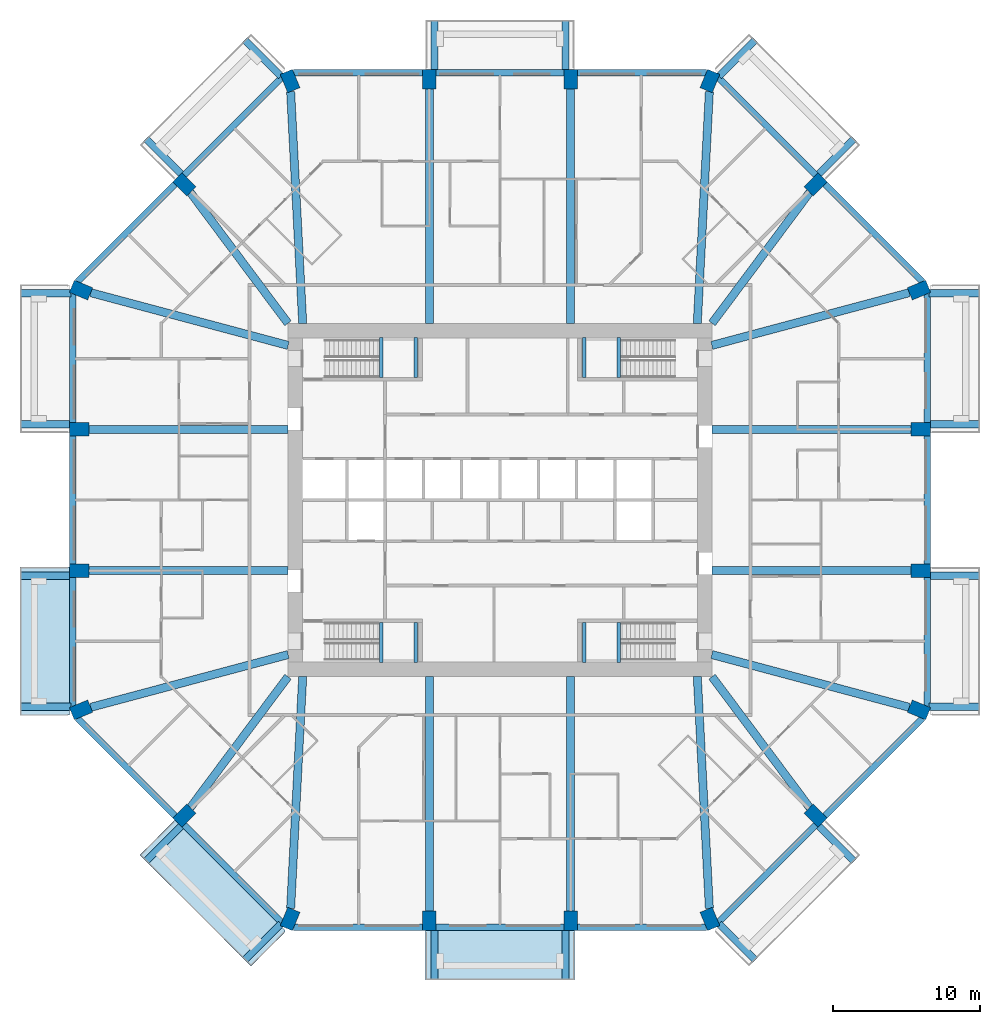
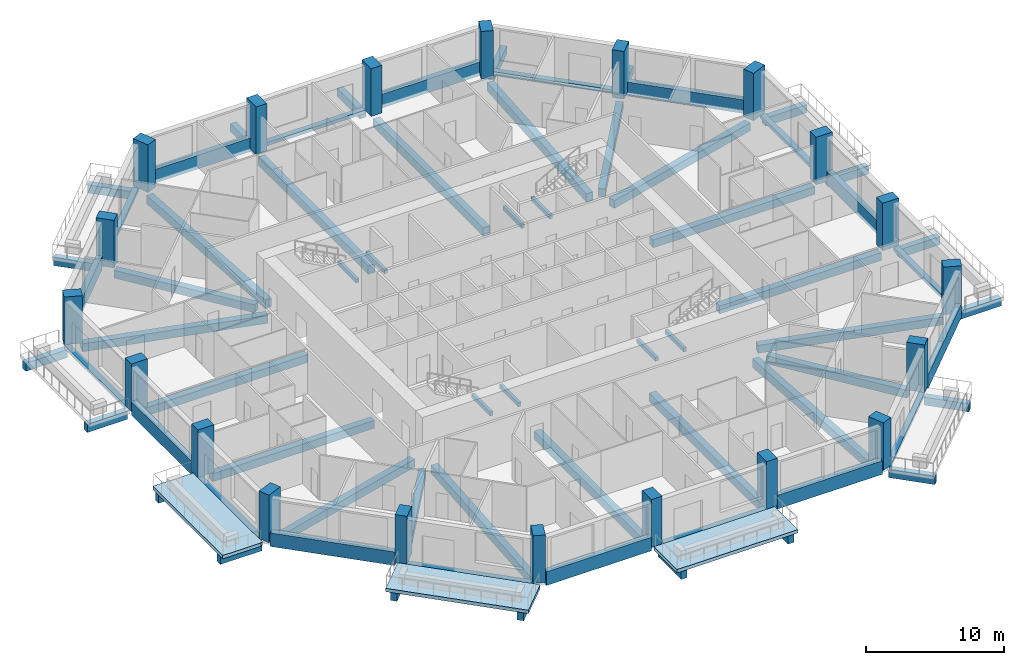
# One storey, part 1 of 13: 68 beams, 20 columns, 3 slabs.
"""IFC4 building model written with IfcOpenShell, lengths in metres."""

from ifc_helpers import new_model, si_unit, direction, frame, origin, origin_2d, place, context, subcontext, project, spatial, polyline, rectangle, outline, extrude, material, layer, layer_set, material_profile, profile_set, type_object, element, save


model = new_model("IFC4")

# Units and contexts
model_context = context("Model", 3, precision=1e-05, world=origin(), true_north=direction((0.0, 1.0)))
body_context = subcontext(model_context, "Body", "Model", "MODEL_VIEW")
ifc_project = project(units=[si_unit("LENGTHUNIT", "METRE"), si_unit("AREAUNIT", "SQUARE_METRE"), si_unit("VOLUMEUNIT", "CUBIC_METRE"), si_unit("PLANEANGLEUNIT", "RADIAN"), si_unit("MASSUNIT", "GRAM", prefix="KILO")], contexts=[model_context])

# Site, building, storey
site_placement = place(None, origin())
site = spatial("IfcSite", under=ifc_project, at=site_placement, CompositionType="ELEMENT")
building_placement = place(site_placement, origin())
building = spatial("IfcBuilding", under=site, at=building_placement, Name="Msitu Wima Residences", CompositionType="ELEMENT")
storey_placement = place(building_placement, frame((0.0, 0.0, 33.89990234375)))
storey = spatial("IfcBuildingStorey", under=building, at=storey_placement, Name="L07", CompositionType="ELEMENT", Elevation=33.89990234375)

# Columns
ifc_material_1 = material(Name="Concrete C80/95", Category="concrete")
ifc_material_profile_1 = material_profile(ifc_material_1, rectangle(XDim=0.89990234375, YDim=1.35009765625, at=origin_2d()), Name="RC 900x1350")
ifc_profile_set_1 = profile_set([ifc_material_profile_1], Name="Concrete C80/95")
column_type = type_object("IfcColumnType", Name="Column RC 900x1350 Concrete C80/95", PredefinedType="COLUMN", material=ifc_profile_set_1)
for number, where, z_axis, x_axis, name in (
    (1, (28.4541015625, -14.2568359375, 0.0), (0.0, 0.0, 1.0), (0.382683496864, 0.923879505795, 0.0), "Column L07 C-E0"),
    (2, (28.574951171875, -4.800048828125, 0.0), (0.0, 0.0, 1.0), (0.0, 1.0, 0.0), "Column L07 C-E1"),
    (3, (28.574951171875, 4.800048828125, 0.0), (0.0, 0.0, 1.0), (0.0, 1.0, 0.0), "Column L07 C-E2"),
    (4, (28.4541015625, 14.2568359375, 0.0), (0.0, 0.0, 1.0), (-0.382683496864, 0.923879505795, 0.0), "Column L07 C-NE0"),
    (5, (21.44091796875, 21.44091796875, 0.0), (0.0, 0.0, 1.0), (-0.707106781187, 0.707106781187, 0.0), "Column L07 C-NE1"),
    (6, (14.2568359375, 28.4541015625, 0.0), (0.0, 0.0, 1.0), (-0.923879505795, 0.382683496864, 0.0), "Column L07 C-N0"),
    (7, (4.800048828125, 28.574951171875, 0.0), (0.0, 0.0, 1.0), (-1.0, 0.0, 0.0), "Column L07 C-N1"),
    (8, (-4.800048828125, 28.574951171875, 0.0), (0.0, 0.0, 1.0), (-1.0, 0.0, 0.0), "Column L07 C-N2"),
    (9, (-14.2568359375, 28.4541015625, 0.0), (0.0, 0.0, 1.0), (-0.923879505795, -0.382683496864, 0.0), "Column L07 C-NW0"),
    (10, (-21.44091796875, 21.44091796875, 0.0), (0.0, 0.0, 1.0), (-0.707106781187, -0.707106781187, 0.0), "Column L07 C-NW1"),
    (11, (-28.4541015625, 14.2568359375, 0.0), (0.0, 0.0, 1.0), (-0.382683496864, -0.923879505795, 0.0), "Column L07 C-W0"),
    (12, (-28.574951171875, 4.800048828125, 0.0), (0.0, 0.0, 1.0), (0.0, -1.0, 0.0), "Column L07 C-W1"),
    (13, (-28.574951171875, -4.800048828125, 0.0), (0.0, 0.0, 1.0), (0.0, -1.0, 0.0), "Column L07 C-W2"),
    (14, (-28.4541015625, -14.2568359375, 0.0), (0.0, 0.0, 1.0), (0.382683496864, -0.923879505795, 0.0), "Column L07 C-SW0"),
    (15, (-21.44091796875, -21.44091796875, 0.0), (0.0, 0.0, 1.0), (0.707106781187, -0.707106781187, 0.0), "Column L07 C-SW1"),
    (16, (-14.2568359375, -28.4541015625, 0.0), (0.0, 0.0, 1.0), (0.923879505795, -0.382683496864, 0.0), "Column L07 C-S0"),
    (17, (-4.800048828125, -28.574951171875, 0.0), (0.0, 0.0, 1.0), (1.0, 0.0, 0.0), "Column L07 C-S1"),
    (18, (4.800048828125, -28.574951171875, 0.0), (0.0, 0.0, 1.0), (1.0, 0.0, 0.0), "Column L07 C-S2"),
    (19, (14.2568359375, -28.4541015625, 0.0), (0.0, 0.0, 1.0), (0.923879505795, 0.382683496864, 0.0), "Column L07 C-SE0"),
    (20, (21.44091796875, -21.44091796875, 0.0), (0.0, 0.0, 1.0), (0.707106781187, 0.707106781187, 0.0), "Column L07 C-SE1"),
):
    element("IfcColumn", number, at=place(storey_placement, frame(where, z_axis=z_axis, x_axis=x_axis)), inside=storey, type_object=column_type, Name=name, PredefinedType="COLUMN", context=body_context, shape_type="SweptSolid", body=[
        extrude(rectangle(XDim=0.89990234375, YDim=1.35009765625, at=origin_2d()), origin(), (0.0, 0.0, 1.0), 4.2001953125),
    ])

# Beams
ifc_material_2 = material(Name="Concrete C50/60", Category="concrete")
ifc_material_profile_2 = material_profile(ifc_material_2, rectangle(XDim=0.550048828125, YDim=0.699951171875, at=origin_2d()), Name="RC 550x700")
ifc_profile_set_2 = profile_set([ifc_material_profile_2], Name="Concrete C50/60")
beam_type_1 = type_object("IfcBeamType", Name="Beam RC 550x700 Concrete C50/60", PredefinedType="BEAM", material=ifc_profile_set_2)
beam_1_placement = place(storey_placement, frame((27.79638671875, -14.080810546875, -0.599853515625), z_axis=(-0.966081778408, 0.258236320891, 0.0), x_axis=(-0.258236320891, -0.966081778408, 0.0)))
element("IfcBeam", 21, at=beam_1_placement, inside=storey, type_object=beam_type_1, Name="Beam L07 C-E0", PredefinedType="BEAM", context=body_context, shape_type="SweptSolid", body=[
    extrude(rectangle(XDim=0.550048828125, YDim=0.699951171875, at=origin_2d()), origin(), (0.0, 0.0, 1.0), 13.878662109375),
])
for number, where, z_axis, x_axis, name in (
    (22, (27.89990234375, -4.800048828125, -0.599853515625), (-1.0, 0.0, 0.0), (0.0, -1.0, 0.0), "Beam L07 C-E1"),
    (23, (27.89990234375, 4.800048828125, -0.599853515625), (-1.0, 0.0, 0.0), (0.0, -1.0, 0.0), "Beam L07 C-E2"),
):
    element("IfcBeam", number, at=place(storey_placement, frame(where, z_axis=z_axis, x_axis=x_axis)), inside=storey, type_object=beam_type_1, Name=name, PredefinedType="BEAM", context=body_context, shape_type="SweptSolid", body=[
        extrude(rectangle(XDim=0.550048828125, YDim=0.699951171875, at=origin_2d()), origin(), (0.0, 0.0, 1.0), 13.5),
    ])
beam_2_placement = place(storey_placement, frame((27.79638671875, 14.080810546875, -0.599853515625), z_axis=(-0.966081778408, -0.258236320891, 0.0), x_axis=(0.258236320891, -0.966081778408, 0.0)))
element("IfcBeam", 24, at=beam_2_placement, inside=storey, type_object=beam_type_1, Name="Beam L07 C-NE0", PredefinedType="BEAM", context=body_context, shape_type="SweptSolid", body=[
    extrude(rectangle(XDim=0.550048828125, YDim=0.699951171875, at=origin_2d()), origin(), (0.0, 0.0, 1.0), 13.878662109375),
])
for number, where, z_axis, x_axis, name in (
    (25, (21.033203125, 20.89404296875, -0.599853515625), (-0.597850242031, -0.801607814398, 0.0), (0.801607814398, -0.597850242031, 0.0), "Beam L07 C-NE1"),
    (26, (-21.033203125, 20.89404296875, -0.599853515625), (0.597850242031, -0.801607814398, 0.0), (0.801607814398, 0.597850242031, 0.0), "Beam L07 C-NW1"),
):
    element("IfcBeam", number, at=place(storey_placement, frame(where, z_axis=z_axis, x_axis=x_axis)), inside=storey, type_object=beam_type_1, Name=name, PredefinedType="BEAM", context=body_context, shape_type="SweptSolid", body=[
        extrude(rectangle(XDim=0.550048828125, YDim=0.699951171875, at=origin_2d()), origin(), (0.0, 0.0, 1.0), 11.09521484375),
    ])
beam_3_placement = place(storey_placement, frame((-27.79638671875, 14.080810546875, -0.599853515625), z_axis=(0.966081778408, -0.258236320891, 0.0), x_axis=(0.258236320891, 0.966081778408, 0.0)))
element("IfcBeam", 27, at=beam_3_placement, inside=storey, type_object=beam_type_1, Name="Beam L07 C-W0", PredefinedType="BEAM", context=body_context, shape_type="SweptSolid", body=[
    extrude(rectangle(XDim=0.550048828125, YDim=0.699951171875, at=origin_2d()), origin(), (0.0, 0.0, 1.0), 13.878662109375),
])
for number, where, z_axis, x_axis, name in (
    (28, (-27.89990234375, 4.800048828125, -0.599853515625), (1.0, 0.0, 0.0), (0.0, 1.0, 0.0), "Beam L07 C-W1"),
    (29, (-27.89990234375, -4.800048828125, -0.599853515625), (1.0, 0.0, 0.0), (0.0, 1.0, 0.0), "Beam L07 C-W2"),
):
    element("IfcBeam", number, at=place(storey_placement, frame(where, z_axis=z_axis, x_axis=x_axis)), inside=storey, type_object=beam_type_1, Name=name, PredefinedType="BEAM", context=body_context, shape_type="SweptSolid", body=[
        extrude(rectangle(XDim=0.550048828125, YDim=0.699951171875, at=origin_2d()), origin(), (0.0, 0.0, 1.0), 13.5),
    ])
beam_4_placement = place(storey_placement, frame((-27.79638671875, -14.080810546875, -0.599853515625), z_axis=(0.966081778408, 0.258236320891, 0.0), x_axis=(-0.258236320891, 0.966081778408, 0.0)))
element("IfcBeam", 30, at=beam_4_placement, inside=storey, type_object=beam_type_1, Name="Beam L07 C-SW0", PredefinedType="BEAM", context=body_context, shape_type="SweptSolid", body=[
    extrude(rectangle(XDim=0.550048828125, YDim=0.699951171875, at=origin_2d()), origin(), (0.0, 0.0, 1.0), 13.878662109375),
])
for number, where, z_axis, x_axis, name in (
    (31, (-21.033203125, -20.89404296875, -0.599853515625), (0.597850242031, 0.801607814398, 0.0), (-0.801607814398, 0.597850242031, 0.0), "Beam L07 C-SW1"),
    (32, (21.033203125, -20.89404296875, -0.599853515625), (-0.597850242031, 0.801607814398, 0.0), (-0.801607814398, -0.597850242031, 0.0), "Beam L07 C-SE1"),
):
    element("IfcBeam", number, at=place(storey_placement, frame(where, z_axis=z_axis, x_axis=x_axis)), inside=storey, type_object=beam_type_1, Name=name, PredefinedType="BEAM", context=body_context, shape_type="SweptSolid", body=[
        extrude(rectangle(XDim=0.550048828125, YDim=0.699951171875, at=origin_2d()), origin(), (0.0, 0.0, 1.0), 11.09521484375),
    ])
ifc_material_profile_3 = material_profile(ifc_material_2, rectangle(XDim=0.550048828125, YDim=0.75, at=origin_2d()), Name="RC 550x750")
ifc_profile_set_3 = profile_set([ifc_material_profile_3], Name="Concrete C50/60")
beam_type_2 = type_object("IfcBeamType", Name="Beam RC 550x750 Concrete C50/60", PredefinedType="BEAM", material=ifc_profile_set_3)
beam_5_placement = place(storey_placement, frame((14.219482421875, 27.739013671875, -0.625), z_axis=(-0.05199418091, -0.998647387796, 0.0), x_axis=(0.998647387796, -0.05199418091, 0.0)))
element("IfcBeam", 33, at=beam_5_placement, inside=storey, type_object=beam_type_2, Name="Beam L07 C-N0", PredefinedType="BEAM", context=body_context, shape_type="SweptSolid", body=[
    extrude(rectangle(XDim=0.550048828125, YDim=0.75, at=origin_2d()), origin(), (0.0, 0.0, 1.0), 15.772216796875),
])
for number, where, z_axis, x_axis, name in (
    (34, (4.800048828125, 27.89990234375, -0.625), (0.0, -1.0, 0.0), (1.0, 0.0, 0.0), "Beam L07 C-N1"),
    (35, (-4.800048828125, 27.89990234375, -0.625), (0.0, -1.0, 0.0), (1.0, 0.0, 0.0), "Beam L07 C-N2"),
):
    element("IfcBeam", number, at=place(storey_placement, frame(where, z_axis=z_axis, x_axis=x_axis)), inside=storey, type_object=beam_type_2, Name=name, PredefinedType="BEAM", context=body_context, shape_type="SweptSolid", body=[
        extrude(rectangle(XDim=0.550048828125, YDim=0.75, at=origin_2d()), origin(), (0.0, 0.0, 1.0), 15.89990234375),
    ])
for number, where, z_axis, x_axis, name in (
    (36, (-14.219482421875, 27.739013671875, -0.625), (0.05199418091, -0.998647387796, 0.0), (0.998647387796, 0.05199418091, 0.0), "Beam L07 C-NW0"),
    (37, (-14.219482421875, -27.739013671875, -0.625), (0.05199418091, 0.998647387796, 0.0), (-0.998647387796, 0.05199418091, 0.0), "Beam L07 C-S0"),
):
    element("IfcBeam", number, at=place(storey_placement, frame(where, z_axis=z_axis, x_axis=x_axis)), inside=storey, type_object=beam_type_2, Name=name, PredefinedType="BEAM", context=body_context, shape_type="SweptSolid", body=[
        extrude(rectangle(XDim=0.550048828125, YDim=0.75, at=origin_2d()), origin(), (0.0, 0.0, 1.0), 15.772216796875),
    ])
for number, where, z_axis, x_axis, name in (
    (38, (-4.800048828125, -27.89990234375, -0.625), (0.0, 1.0, 0.0), (-1.0, 0.0, 0.0), "Beam L07 C-S1"),
    (39, (4.800048828125, -27.89990234375, -0.625), (0.0, 1.0, 0.0), (-1.0, 0.0, 0.0), "Beam L07 C-S2"),
):
    element("IfcBeam", number, at=place(storey_placement, frame(where, z_axis=z_axis, x_axis=x_axis)), inside=storey, type_object=beam_type_2, Name=name, PredefinedType="BEAM", context=body_context, shape_type="SweptSolid", body=[
        extrude(rectangle(XDim=0.550048828125, YDim=0.75, at=origin_2d()), origin(), (0.0, 0.0, 1.0), 15.89990234375),
    ])
beam_6_placement = place(storey_placement, frame((14.219482421875, -27.739013671875, -0.625), z_axis=(-0.05199418091, 0.998647387796, 0.0), x_axis=(-0.998647387796, -0.05199418091, 0.0)))
element("IfcBeam", 40, at=beam_6_placement, inside=storey, type_object=beam_type_2, Name="Beam L07 C-SE0", PredefinedType="BEAM", context=body_context, shape_type="SweptSolid", body=[
    extrude(rectangle(XDim=0.550048828125, YDim=0.75, at=origin_2d()), origin(), (0.0, 0.0, 1.0), 15.772216796875),
])
ifc_material_profile_4 = material_profile(ifc_material_2, rectangle(XDim=0.5, YDim=0.699951171875, at=origin_2d()), Name="RC 500x700")
ifc_profile_set_4 = profile_set([ifc_material_profile_4], Name="Concrete C50/60")
beam_type_3 = type_object("IfcBeamType", Name="Cantilever beam RC 500x700 Concrete C50/60", PredefinedType="BEAM", material=ifc_profile_set_4)
beam_7_placement = place(storey_placement, frame((29.130859375, -14.050048828125, -0.64990234375), z_axis=(1.0, 0.0, 0.0), x_axis=(0.0, 1.0, 0.0)))
element("IfcBeam", 41, at=beam_7_placement, inside=storey, type_object=beam_type_3, Name="Cantilever beam L07 BA-E0 A", PredefinedType="BEAM", context=body_context, shape_type="SweptSolid", body=[
    extrude(rectangle(XDim=0.5, YDim=0.699951171875, at=origin_2d()), origin(), (0.0, 0.0, 1.0), 3.46923828125),
])
for number, where, z_axis, x_axis, name in (
    (42, (29.25, -5.14990234375, -0.64990234375), (1.0, 0.0, 0.0), (0.0, 1.0, 0.0), "Cantilever beam L07 BA-E0 B"),
    (43, (29.25, 5.14990234375, -0.64990234375), (1.0, 0.0, 0.0), (0.0, 1.0, 0.0), "Cantilever beam L07 BA-E2 A"),
):
    element("IfcBeam", number, at=place(storey_placement, frame(where, z_axis=z_axis, x_axis=x_axis)), inside=storey, type_object=beam_type_3, Name=name, PredefinedType="BEAM", context=body_context, shape_type="SweptSolid", body=[
        extrude(rectangle(XDim=0.5, YDim=0.699951171875, at=origin_2d()), origin(), (0.0, 0.0, 1.0), 3.35009765625),
    ])
beam_8_placement = place(storey_placement, frame((29.130859375, 14.050048828125, -0.64990234375), z_axis=(1.0, 0.0, 0.0), x_axis=(0.0, 1.0, 0.0)))
element("IfcBeam", 44, at=beam_8_placement, inside=storey, type_object=beam_type_3, Name="Cantilever beam L07 BA-E2 B", PredefinedType="BEAM", context=body_context, shape_type="SweptSolid", body=[
    extrude(rectangle(XDim=0.5, YDim=0.699951171875, at=origin_2d()), origin(), (0.0, 0.0, 1.0), 3.46923828125),
])
beam_9_placement = place(storey_placement, frame((21.670654296875, 22.165771484375, -0.64990234375), z_axis=(0.707143219659, 0.707070340836, 0.0), x_axis=(-0.707070340836, 0.707143219659, 0.0)))
element("IfcBeam", 45, at=beam_9_placement, inside=storey, type_object=beam_type_3, Name="Cantilever beam L07 BA-NE1 A", PredefinedType="BEAM", context=body_context, shape_type="SweptSolid", body=[
    extrude(rectangle(XDim=0.5, YDim=0.699951171875, at=origin_2d()), origin(), (0.0, 0.0, 1.0), 3.349853515625),
])
beam_10_placement = place(storey_placement, frame((14.881591796875, 28.78662109375, -0.64990234375), z_axis=(0.707106781187, 0.707106781187, 0.0), x_axis=(-0.707106781187, 0.707106781187, 0.0)))
element("IfcBeam", 46, at=beam_10_placement, inside=storey, type_object=beam_type_3, Name="Cantilever beam L07 BA-NE1 B", PredefinedType="BEAM", context=body_context, shape_type="SweptSolid", body=[
    extrude(rectangle(XDim=0.5, YDim=0.699951171875, at=origin_2d()), origin(), (0.0, 0.0, 1.0), 3.468994140625),
])
for number, where, z_axis, x_axis, name in (
    (47, (4.449951171875, 29.25, -0.64990234375), (0.0, 1.0, 0.0), (-1.0, 0.0, 0.0), "Cantilever beam L07 BA-N1 A"),
    (48, (-4.449951171875, 29.25, -0.64990234375), (0.0, 1.0, 0.0), (-1.0, 0.0, 0.0), "Cantilever beam L07 BA-N1 B"),
):
    element("IfcBeam", number, at=place(storey_placement, frame(where, z_axis=z_axis, x_axis=x_axis)), inside=storey, type_object=beam_type_3, Name=name, PredefinedType="BEAM", context=body_context, shape_type="SweptSolid", body=[
        extrude(rectangle(XDim=0.5, YDim=0.699951171875, at=origin_2d()), origin(), (0.0, 0.0, 1.0), 3.35009765625),
    ])
beam_11_placement = place(storey_placement, frame((-14.881591796875, 28.78662109375, -0.64990234375), z_axis=(-0.707106781187, 0.707106781187, 0.0), x_axis=(-0.707106781187, -0.707106781187, 0.0)))
element("IfcBeam", 49, at=beam_11_placement, inside=storey, type_object=beam_type_3, Name="Cantilever beam L07 BA-NW0 A", PredefinedType="BEAM", context=body_context, shape_type="SweptSolid", body=[
    extrude(rectangle(XDim=0.5, YDim=0.699951171875, at=origin_2d()), origin(), (0.0, 0.0, 1.0), 3.468994140625),
])
beam_12_placement = place(storey_placement, frame((-21.670654296875, 22.165771484375, -0.64990234375), z_axis=(-0.707143219659, 0.707070340836, 0.0), x_axis=(-0.707070340836, -0.707143219659, 0.0)))
element("IfcBeam", 50, at=beam_12_placement, inside=storey, type_object=beam_type_3, Name="Cantilever beam L07 BA-NW0 B", PredefinedType="BEAM", context=body_context, shape_type="SweptSolid", body=[
    extrude(rectangle(XDim=0.5, YDim=0.699951171875, at=origin_2d()), origin(), (0.0, 0.0, 1.0), 3.349853515625),
])
beam_13_placement = place(storey_placement, frame((-29.130859375, 14.050048828125, -0.64990234375), z_axis=(-1.0, 0.0, 0.0), x_axis=(0.0, -1.0, 0.0)))
element("IfcBeam", 51, at=beam_13_placement, inside=storey, type_object=beam_type_3, Name="Cantilever beam L07 BA-W0 A", PredefinedType="BEAM", context=body_context, shape_type="SweptSolid", body=[
    extrude(rectangle(XDim=0.5, YDim=0.699951171875, at=origin_2d()), origin(), (0.0, 0.0, 1.0), 3.46923828125),
])
for number, where, z_axis, x_axis, name in (
    (52, (-29.25, 5.14990234375, -0.64990234375), (-1.0, 0.0, 0.0), (0.0, -1.0, 0.0), "Cantilever beam L07 BA-W0 B"),
    (53, (-29.25, -5.14990234375, -0.64990234375), (-1.0, 0.0, 0.0), (0.0, -1.0, 0.0), "Cantilever beam L07 BA-W2 A"),
):
    element("IfcBeam", number, at=place(storey_placement, frame(where, z_axis=z_axis, x_axis=x_axis)), inside=storey, type_object=beam_type_3, Name=name, PredefinedType="BEAM", context=body_context, shape_type="SweptSolid", body=[
        extrude(rectangle(XDim=0.5, YDim=0.699951171875, at=origin_2d()), origin(), (0.0, 0.0, 1.0), 3.35009765625),
    ])
beam_14_placement = place(storey_placement, frame((-29.130859375, -14.050048828125, -0.64990234375), z_axis=(-1.0, 0.0, 0.0), x_axis=(0.0, -1.0, 0.0)))
element("IfcBeam", 54, at=beam_14_placement, inside=storey, type_object=beam_type_3, Name="Cantilever beam L07 BA-W2 B", PredefinedType="BEAM", context=body_context, shape_type="SweptSolid", body=[
    extrude(rectangle(XDim=0.5, YDim=0.699951171875, at=origin_2d()), origin(), (0.0, 0.0, 1.0), 3.46923828125),
])
beam_15_placement = place(storey_placement, frame((-21.670654296875, -22.165771484375, -0.64990234375), z_axis=(-0.707143219659, -0.707070340836, 0.0), x_axis=(0.707070340836, -0.707143219659, 0.0)))
element("IfcBeam", 55, at=beam_15_placement, inside=storey, type_object=beam_type_3, Name="Cantilever beam L07 BA-SW1 A", PredefinedType="BEAM", context=body_context, shape_type="SweptSolid", body=[
    extrude(rectangle(XDim=0.5, YDim=0.699951171875, at=origin_2d()), origin(), (0.0, 0.0, 1.0), 3.349853515625),
])
beam_16_placement = place(storey_placement, frame((-14.881591796875, -28.78662109375, -0.64990234375), z_axis=(-0.707106781187, -0.707106781187, 0.0), x_axis=(0.707106781187, -0.707106781187, 0.0)))
element("IfcBeam", 56, at=beam_16_placement, inside=storey, type_object=beam_type_3, Name="Cantilever beam L07 BA-SW1 B", PredefinedType="BEAM", context=body_context, shape_type="SweptSolid", body=[
    extrude(rectangle(XDim=0.5, YDim=0.699951171875, at=origin_2d()), origin(), (0.0, 0.0, 1.0), 3.468994140625),
])
for number, where, z_axis, x_axis, name in (
    (57, (-4.449951171875, -29.25, -0.64990234375), (0.0, -1.0, 0.0), (1.0, 0.0, 0.0), "Cantilever beam L07 BA-S1 A"),
    (58, (4.449951171875, -29.25, -0.64990234375), (0.0, -1.0, 0.0), (1.0, 0.0, 0.0), "Cantilever beam L07 BA-S1 B"),
):
    element("IfcBeam", number, at=place(storey_placement, frame(where, z_axis=z_axis, x_axis=x_axis)), inside=storey, type_object=beam_type_3, Name=name, PredefinedType="BEAM", context=body_context, shape_type="SweptSolid", body=[
        extrude(rectangle(XDim=0.5, YDim=0.699951171875, at=origin_2d()), origin(), (0.0, 0.0, 1.0), 3.35009765625),
    ])
beam_17_placement = place(storey_placement, frame((14.881591796875, -28.78662109375, -0.64990234375), z_axis=(0.707106781187, -0.707106781187, 0.0), x_axis=(0.707106781187, 0.707106781187, 0.0)))
element("IfcBeam", 59, at=beam_17_placement, inside=storey, type_object=beam_type_3, Name="Cantilever beam L07 BA-SE0 A", PredefinedType="BEAM", context=body_context, shape_type="SweptSolid", body=[
    extrude(rectangle(XDim=0.5, YDim=0.699951171875, at=origin_2d()), origin(), (0.0, 0.0, 1.0), 3.468994140625),
])
beam_18_placement = place(storey_placement, frame((21.670654296875, -22.165771484375, -0.64990234375), z_axis=(0.707143219659, -0.707070340836, 0.0), x_axis=(0.707070340836, 0.707143219659, 0.0)))
element("IfcBeam", 60, at=beam_18_placement, inside=storey, type_object=beam_type_3, Name="Cantilever beam L07 BA-SE0 B", PredefinedType="BEAM", context=body_context, shape_type="SweptSolid", body=[
    extrude(rectangle(XDim=0.5, YDim=0.699951171875, at=origin_2d()), origin(), (0.0, 0.0, 1.0), 3.349853515625),
])
ifc_material_profile_5 = material_profile(ifc_material_2, rectangle(XDim=0.449951171875, YDim=0.300048828125, at=origin_2d()), Name="RC 450x300")
ifc_profile_set_5 = profile_set([ifc_material_profile_5], Name="Concrete C50/60")
beam_type_4 = type_object("IfcBeamType", Name="Edge beam RC 450x300 Concrete C50/60", PredefinedType="SPANDREL", material=ifc_profile_set_5)
for number, where, z_axis, x_axis, name in (
    (61, (29.02490234375, -14.01806640625, -0.14990234375), (0.0, 1.0, 0.0), (-1.0, 0.0, 0.0), "Spandrel L07 E0"),
    (62, (29.02490234375, 5.25, -0.14990234375), (0.0, 1.0, 0.0), (-1.0, 0.0, 0.0), "Spandrel L07 E2"),
):
    element("IfcBeam", number, at=place(storey_placement, frame(where, z_axis=z_axis, x_axis=x_axis)), inside=storey, type_object=beam_type_4, Name=name, PredefinedType="SPANDREL", context=body_context, shape_type="SweptSolid", body=[
        extrude(rectangle(XDim=0.449951171875, YDim=0.300048828125, at=origin_2d()), origin(), (0.0, 0.0, 1.0), 8.76806640625),
    ])
beam_19_placement = place(storey_placement, frame((21.44091796875, 22.077392578125, -0.14990234375), z_axis=(-0.707119836229, 0.707093725903, 0.0), x_axis=(-0.707093725903, -0.707119836229, 0.0)))
element("IfcBeam", 63, at=beam_19_placement, inside=storey, type_object=beam_type_4, Name="Spandrel L07 NE1", PredefinedType="SPANDREL", context=body_context, shape_type="SweptSolid", body=[
    extrude(rectangle(XDim=0.449951171875, YDim=0.300048828125, at=origin_2d()), origin(), (0.0, 0.0, 1.0), 9.350341796875),
])
beam_20_placement = place(storey_placement, frame((4.35009765625, 29.02490234375, -0.14990234375), z_axis=(-1.0, 0.0, 0.0), x_axis=(0.0, -1.0, 0.0)))
element("IfcBeam", 64, at=beam_20_placement, inside=storey, type_object=beam_type_4, Name="Spandrel L07 N1", PredefinedType="SPANDREL", context=body_context, shape_type="SweptSolid", body=[
    extrude(rectangle(XDim=0.449951171875, YDim=0.300048828125, at=origin_2d()), origin(), (0.0, 0.0, 1.0), 8.7001953125),
])
beam_21_placement = place(storey_placement, frame((-14.8291015625, 28.68896484375, -0.14990234375), z_axis=(-0.707119836229, -0.707093725903, 0.0), x_axis=(0.707093725903, -0.707119836229, 0.0)))
element("IfcBeam", 65, at=beam_21_placement, inside=storey, type_object=beam_type_4, Name="Spandrel L07 NW0", PredefinedType="SPANDREL", context=body_context, shape_type="SweptSolid", body=[
    extrude(rectangle(XDim=0.449951171875, YDim=0.300048828125, at=origin_2d()), origin(), (0.0, 0.0, 1.0), 9.350341796875),
])
for number, where, z_axis, x_axis, name in (
    (66, (-29.02490234375, 14.01806640625, -0.14990234375), (0.0, -1.0, 0.0), (1.0, 0.0, 0.0), "Spandrel L07 W0"),
    (67, (-29.02490234375, -5.25, -0.14990234375), (0.0, -1.0, 0.0), (1.0, 0.0, 0.0), "Spandrel L07 W2"),
):
    element("IfcBeam", number, at=place(storey_placement, frame(where, z_axis=z_axis, x_axis=x_axis)), inside=storey, type_object=beam_type_4, Name=name, PredefinedType="SPANDREL", context=body_context, shape_type="SweptSolid", body=[
        extrude(rectangle(XDim=0.449951171875, YDim=0.300048828125, at=origin_2d()), origin(), (0.0, 0.0, 1.0), 8.76806640625),
    ])
beam_22_placement = place(storey_placement, frame((-21.44091796875, -22.077392578125, -0.14990234375), z_axis=(0.707119836229, -0.707093725903, 0.0), x_axis=(0.707093725903, 0.707119836229, 0.0)))
element("IfcBeam", 68, at=beam_22_placement, inside=storey, type_object=beam_type_4, Name="Spandrel L07 SW1", PredefinedType="SPANDREL", context=body_context, shape_type="SweptSolid", body=[
    extrude(rectangle(XDim=0.449951171875, YDim=0.300048828125, at=origin_2d()), origin(), (0.0, 0.0, 1.0), 9.350341796875),
])
beam_23_placement = place(storey_placement, frame((-4.35009765625, -29.02490234375, -0.14990234375), z_axis=(1.0, 0.0, 0.0), x_axis=(0.0, 1.0, 0.0)))
element("IfcBeam", 69, at=beam_23_placement, inside=storey, type_object=beam_type_4, Name="Spandrel L07 S1", PredefinedType="SPANDREL", context=body_context, shape_type="SweptSolid", body=[
    extrude(rectangle(XDim=0.449951171875, YDim=0.300048828125, at=origin_2d()), origin(), (0.0, 0.0, 1.0), 8.7001953125),
])
beam_24_placement = place(storey_placement, frame((14.8291015625, -28.68896484375, -0.14990234375), z_axis=(0.707119836229, 0.707093725903, 0.0), x_axis=(-0.707093725903, 0.707119836229, 0.0)))
element("IfcBeam", 70, at=beam_24_placement, inside=storey, type_object=beam_type_4, Name="Spandrel L07 SE0", PredefinedType="SPANDREL", context=body_context, shape_type="SweptSolid", body=[
    extrude(rectangle(XDim=0.449951171875, YDim=0.300048828125, at=origin_2d()), origin(), (0.0, 0.0, 1.0), 9.350341796875),
])
ifc_material_3 = material(Name="Concrete C40/50", Category="concrete")
ifc_material_profile_6 = material_profile(ifc_material_3, rectangle(XDim=0.25, YDim=0.35009765625, at=origin_2d()), Name="RC 250x350")
ifc_profile_set_6 = profile_set([ifc_material_profile_6], Name="Concrete C40/50")
beam_type_5 = type_object("IfcBeamType", Name="Landing beam RC 250x350", PredefinedType="BEAM", material=ifc_profile_set_6)
for number, where, z_axis, x_axis, name in (
    (71, (-8.074951171875, 8.324951171875, 1.72509765625), (0.0, 1.0, 0.0), (-1.0, 0.0, 0.0), "Stair 1 landing beam"),
    (72, (-5.72509765625, 8.324951171875, 1.72509765625), (0.0, 1.0, 0.0), (-1.0, 0.0, 0.0), "Stair 1 landing beam"),
    (73, (-8.074951171875, -11.02490234375, 1.72509765625), (0.0, 1.0, 0.0), (-1.0, 0.0, 0.0), "Stair 2 landing beam"),
    (74, (-5.72509765625, -11.02490234375, 1.72509765625), (0.0, 1.0, 0.0), (-1.0, 0.0, 0.0), "Stair 2 landing beam"),
    (75, (8.074951171875, 8.324951171875, 1.72509765625), (0.0, 1.0, 0.0), (-1.0, 0.0, 0.0), "Stair 3 landing beam"),
    (76, (5.72509765625, 8.324951171875, 1.72509765625), (0.0, 1.0, 0.0), (-1.0, 0.0, 0.0), "Stair 3 landing beam"),
    (77, (8.074951171875, -11.02490234375, 1.72509765625), (0.0, 1.0, 0.0), (-1.0, 0.0, 0.0), "Stair 4 landing beam"),
    (78, (5.72509765625, -11.02490234375, 1.72509765625), (0.0, 1.0, 0.0), (-1.0, 0.0, 0.0), "Stair 4 landing beam"),
):
    element("IfcBeam", number, at=place(storey_placement, frame(where, z_axis=z_axis, x_axis=x_axis)), inside=storey, type_object=beam_type_5, Name=name, PredefinedType="BEAM", context=body_context, shape_type="SweptSolid", body=[
        extrude(rectangle(XDim=0.25, YDim=0.35009765625, at=origin_2d()), origin(), (0.0, 0.0, 1.0), 2.699951171875),
    ])
ifc_material_profile_7 = material_profile(ifc_material_2, rectangle(XDim=0.449951171875, YDim=1.199951171875, at=origin_2d()), Name="RC 450x1200")
ifc_profile_set_7 = profile_set([ifc_material_profile_7], Name="Concrete C50/60")
beam_type_6 = type_object("IfcBeamType", Name="Spandrel RC 450x1200 Concrete C50/60", PredefinedType="SPANDREL", material=ifc_profile_set_7)
beam_25_placement = place(storey_placement, frame((29.02490234375, -4.35009765625, 0.300048828125), z_axis=(0.0, 1.0, 0.0), x_axis=(-1.0, 0.0, 0.0)))
element("IfcBeam", 79, at=beam_25_placement, inside=storey, type_object=beam_type_6, Name="Spandrel L07 E1", PredefinedType="SPANDREL", context=body_context, shape_type="SweptSolid", body=[
    extrude(rectangle(XDim=0.449951171875, YDim=1.199951171875, at=origin_2d()), origin(), (0.0, 0.0, 1.0), 8.7001953125),
])
beam_26_placement = place(storey_placement, frame((28.68896484375, 14.8291015625, 0.300048828125), z_axis=(-0.707093725903, 0.707119836229, 0.0), x_axis=(-0.707119836229, -0.707093725903, 0.0)))
element("IfcBeam", 80, at=beam_26_placement, inside=storey, type_object=beam_type_6, Name="Spandrel L07 NE0", PredefinedType="SPANDREL", context=body_context, shape_type="SweptSolid", body=[
    extrude(rectangle(XDim=0.449951171875, YDim=1.199951171875, at=origin_2d()), origin(), (0.0, 0.0, 1.0), 9.350341796875),
])
for number, where, z_axis, x_axis, name in (
    (81, (14.01806640625, 29.02490234375, 0.300048828125), (-1.0, 0.0, 0.0), (0.0, -1.0, 0.0), "Spandrel L07 N0"),
    (82, (-5.25, 29.02490234375, 0.300048828125), (-1.0, 0.0, 0.0), (0.0, -1.0, 0.0), "Spandrel L07 N2"),
):
    element("IfcBeam", number, at=place(storey_placement, frame(where, z_axis=z_axis, x_axis=x_axis)), inside=storey, type_object=beam_type_6, Name=name, PredefinedType="SPANDREL", context=body_context, shape_type="SweptSolid", body=[
        extrude(rectangle(XDim=0.449951171875, YDim=1.199951171875, at=origin_2d()), origin(), (0.0, 0.0, 1.0), 8.76806640625),
    ])
beam_27_placement = place(storey_placement, frame((-22.077392578125, 21.44091796875, 0.300048828125), z_axis=(-0.707093725903, -0.707119836229, 0.0), x_axis=(0.707119836229, -0.707093725903, 0.0)))
element("IfcBeam", 83, at=beam_27_placement, inside=storey, type_object=beam_type_6, Name="Spandrel L07 NW1", PredefinedType="SPANDREL", context=body_context, shape_type="SweptSolid", body=[
    extrude(rectangle(XDim=0.449951171875, YDim=1.199951171875, at=origin_2d()), origin(), (0.0, 0.0, 1.0), 9.350341796875),
])
beam_28_placement = place(storey_placement, frame((-29.02490234375, 4.35009765625, 0.300048828125), z_axis=(0.0, -1.0, 0.0), x_axis=(1.0, 0.0, 0.0)))
element("IfcBeam", 84, at=beam_28_placement, inside=storey, type_object=beam_type_6, Name="Spandrel L07 W1", PredefinedType="SPANDREL", context=body_context, shape_type="SweptSolid", body=[
    extrude(rectangle(XDim=0.449951171875, YDim=1.199951171875, at=origin_2d()), origin(), (0.0, 0.0, 1.0), 8.7001953125),
])
beam_29_placement = place(storey_placement, frame((-28.68896484375, -14.8291015625, 0.300048828125), z_axis=(0.707093725903, -0.707119836229, 0.0), x_axis=(0.707119836229, 0.707093725903, 0.0)))
element("IfcBeam", 85, at=beam_29_placement, inside=storey, type_object=beam_type_6, Name="Spandrel L07 SW0", PredefinedType="SPANDREL", context=body_context, shape_type="SweptSolid", body=[
    extrude(rectangle(XDim=0.449951171875, YDim=1.199951171875, at=origin_2d()), origin(), (0.0, 0.0, 1.0), 9.350341796875),
])
for number, where, z_axis, x_axis, name in (
    (86, (-14.01806640625, -29.02490234375, 0.300048828125), (1.0, 0.0, 0.0), (0.0, 1.0, 0.0), "Spandrel L07 S0"),
    (87, (5.25, -29.02490234375, 0.300048828125), (1.0, 0.0, 0.0), (0.0, 1.0, 0.0), "Spandrel L07 S2"),
):
    element("IfcBeam", number, at=place(storey_placement, frame(where, z_axis=z_axis, x_axis=x_axis)), inside=storey, type_object=beam_type_6, Name=name, PredefinedType="SPANDREL", context=body_context, shape_type="SweptSolid", body=[
        extrude(rectangle(XDim=0.449951171875, YDim=1.199951171875, at=origin_2d()), origin(), (0.0, 0.0, 1.0), 8.76806640625),
    ])
beam_30_placement = place(storey_placement, frame((22.077392578125, -21.44091796875, 0.300048828125), z_axis=(0.707093725903, 0.707119836229, 0.0), x_axis=(-0.707119836229, 0.707093725903, 0.0)))
element("IfcBeam", 88, at=beam_30_placement, inside=storey, type_object=beam_type_6, Name="Spandrel L07 SE1", PredefinedType="SPANDREL", context=body_context, shape_type="SweptSolid", body=[
    extrude(rectangle(XDim=0.449951171875, YDim=1.199951171875, at=origin_2d()), origin(), (0.0, 0.0, 1.0), 9.350341796875),
])

# Slabs
ifc_layer = layer(ifc_material_3, 0.300048828125)
ifc_layer_set = layer_set([ifc_layer], Name="Concrete C40/50")
slab_type = type_object("IfcSlabType", Name="Balcony slab BS300", PredefinedType="FLOOR", material=ifc_layer_set)
slab_1_placement = place(storey_placement, frame((0.0, 0.0, -0.2998046875)))
element("IfcSlab", 89, at=slab_1_placement, inside=storey, type_object=slab_type, Name="Balcony W2 L07", PredefinedType="FLOOR", context=body_context, shape_type="SweptSolid", body=[
    extrude(outline(polyline([(-29.25, -14.099365234375), (-29.25, -14.099365234375), (-29.25, -14.099365234375), (-29.25, -14.58642578125), (-29.403564453125, -14.64990234375), (-32.60009765625, -14.64990234375), (-32.60009765625, -4.550048828125), (-29.25, -4.550048828125), (-29.25, -5.25), (-29.25, -14.099365234375)])), origin(), (0.0, 0.0, 1.0), 0.2998046875),
])
slab_2_placement = place(storey_placement, frame((0.0, 0.0, -0.2998046875)))
element("IfcSlab", 90, at=slab_2_placement, inside=storey, type_object=slab_type, Name="Balcony SW1 L07", PredefinedType="FLOOR", context=body_context, shape_type="SweptSolid", body=[
    extrude(outline(polyline([(-16.91015625, -31.663818359375), (-24.4638671875, -24.1103515625), (-22.094970703125, -21.741455078125), (-14.58642578125, -29.25), (-14.64990234375, -29.403564453125), (-16.91015625, -31.663818359375)])), origin(), (0.0, 0.0, 1.0), 0.2998046875),
])
slab_3_placement = place(storey_placement, frame((0.0, 0.0, -0.2998046875)))
element("IfcSlab", 91, at=slab_3_placement, inside=storey, type_object=slab_type, Name="Balcony S1 L07", PredefinedType="FLOOR", context=body_context, shape_type="SweptSolid", body=[
    extrude(outline(polyline([(-4.35009765625, -29.25), (4.35009765625, -29.25), (5.050048828125, -29.25), (5.050048828125, -32.60009765625), (-5.050048828125, -32.60009765625), (-5.050048828125, -29.25), (-4.35009765625, -29.25)])), origin(), (0.0, 0.0, 1.0), 0.2998046875),
])

save(model, "model.ifc")
